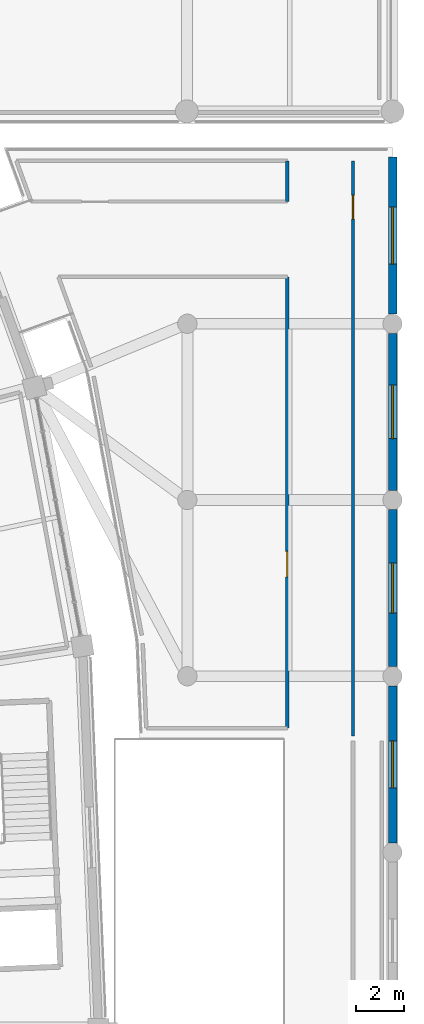
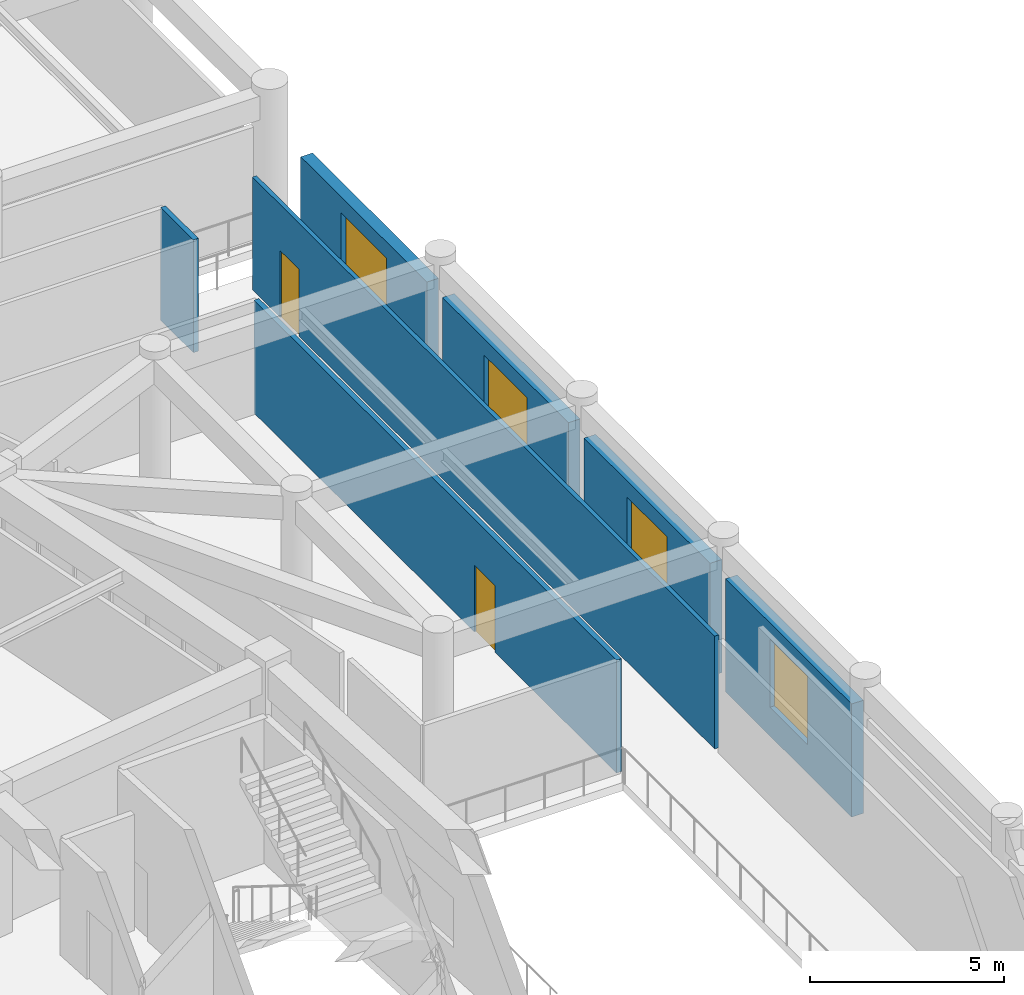
# One storey, part 108 of 152: 7 walls, 4 windows, 2 doors, 6 openings.
"""IFC4 building model written with IfcOpenShell, lengths in metres."""

from ifc_helpers import new_model, si_unit, direction, frame, frame_2d, origin, place, context, subcontext, project, spatial, rectangle, extrude, material, layer, layer_set, type_object, element, fill, save


model = new_model("IFC4")

# Units and contexts
model_context = context("Model", 3, precision=1e-05, world=origin(), true_north=direction((0.0, 1.0)))
body_context = subcontext(model_context, "Body", "Model", "MODEL_VIEW")
ifc_project = project(units=[si_unit("LENGTHUNIT", "METRE"), si_unit("AREAUNIT", "SQUARE_METRE"), si_unit("VOLUMEUNIT", "CUBIC_METRE"), si_unit("PLANEANGLEUNIT", "RADIAN"), si_unit("MASSUNIT", "GRAM", prefix="KILO")], contexts=[model_context])

# Site, building, storey
site_placement = place(None, origin())
site = spatial("IfcSite", under=ifc_project, at=site_placement, CompositionType="ELEMENT")
building_placement = place(site_placement, origin())
building = spatial("IfcBuilding", under=site, at=building_placement, Name="Mphavela Belvedere Stadium", CompositionType="ELEMENT")
storey_placement = place(building_placement, frame((0.0, 0.0, 5.39990234375)))
storey = spatial("IfcBuildingStorey", under=building, at=storey_placement, Name="L01", CompositionType="ELEMENT", Elevation=5.39990234375)

# Wall, opening, window
ifc_material_1 = material(Name="Honed ashlar limestone masonry", Category="masonry")
ifc_layer_1 = layer(ifc_material_1, 0.35009765625)
ifc_layer_set_1 = layer_set([ifc_layer_1], Name="Honed ashlar limestone masonry")
wall_type_1 = type_object("IfcWallType", Name="WAL-EXT-ASHLAR-350", PredefinedType="STANDARD", material=ifc_layer_set_1)
wall_1_placement = place(storey_placement, frame((230.0, 101.201904296875, 0.0), z_axis=(0.0, 0.0, 1.0), x_axis=(0.0, -1.0, 0.0)))
wall_1 = element("IfcWall", 1, at=wall_1_placement, inside=storey, type_object=wall_type_1, Name="East Planted Eaves Peristyle Colonnade outer facade bay L01-07", PredefinedType="STANDARD", context=body_context, shape_type="SweptSolid", body=[
    extrude(rectangle(XDim=6.50390625, YDim=0.35009765625, at=frame_2d((3.251953125, 0.0))), origin(), (0.0, 0.0, 1.0), 3.56005859375),
])
opening_1_placement = place(wall_1_placement, frame((2.281982421875, 0.0, 0.89990234375)))
opening_1 = element("IfcOpeningElement", 2, at=opening_1_placement, cuts=wall_1, Name="Opening W-304", PredefinedType="OPENING", context=body_context, shape_type="SweptSolid", body=[
    extrude(rectangle(XDim=1.93994140625, YDim=2.14990234375, at=frame_2d((0.969970703125, 1.074951171875))), frame((0.0, 0.18505859375, 0.0), z_axis=(0.0, -1.0, 0.0), x_axis=(1.0, 0.0, 0.0)), (0.0, 0.0, 1.0), 0.3701171875),
])
ifc_material_2 = material(Name="Bronze-anodised thermally broken aluminium window", Category="aluminium")
window_type_1 = type_object("IfcWindowType", Name="WIN-EXT-40", PartitioningType="SINGLE_PANEL", PredefinedType="WINDOW", material=ifc_material_2)
window_1_placement = place(opening_1_placement, origin())
window_1 = element("IfcWindow", 3, at=window_1_placement, inside=storey, type_object=window_type_1, Name="East Planted Eaves Peristyle Colonnade classical window W-304", OverallHeight=2.14990234375, OverallWidth=1.93994140625, PartitioningType="SINGLE_PANEL", PredefinedType="WINDOW", context=body_context, shape_type="SweptSolid", body=[
    extrude(rectangle(XDim=1.93994140625, YDim=2.14990234375, at=frame_2d((0.969970703125, 1.074951171875))), frame((0.0, 0.030029296875, 0.0), z_axis=(0.0, -1.0, 0.0), x_axis=(1.0, 0.0, 0.0)), (0.0, 0.0, 1.0), 0.06005859375),
])
fill(opening_1, window_1)

wall_2_placement = place(storey_placement, frame((230.0, 108.501953125, 0.0), z_axis=(0.0, 0.0, 1.0), x_axis=(0.0, -1.0, 0.0)))
wall_2 = element("IfcWall", 4, at=wall_2_placement, inside=storey, type_object=wall_type_1, Name="East Planted Eaves Peristyle Colonnade outer facade bay L01-08", PredefinedType="STANDARD", context=body_context, shape_type="SweptSolid", body=[
    extrude(rectangle(XDim=6.50390625, YDim=0.35009765625, at=frame_2d((3.251953125, 0.0))), origin(), (0.0, 0.0, 1.0), 3.56005859375),
])
opening_2_placement = place(wall_2_placement, frame((2.2119140625, 0.0, 0.89990234375)))
opening_2 = element("IfcOpeningElement", 5, at=opening_2_placement, cuts=wall_2, Name="Opening W-305", PredefinedType="OPENING", context=body_context, shape_type="SweptSolid", body=[
    extrude(rectangle(XDim=2.080078125, YDim=2.14990234375, at=frame_2d((1.0400390625, 1.074951171875))), frame((0.0, 0.18505859375, 0.0), z_axis=(0.0, -1.0, 0.0), x_axis=(1.0, 0.0, 0.0)), (0.0, 0.0, 1.0), 0.3701171875),
])
ifc_material_3 = material(Name="Bronze-anodised thermally broken aluminium window", Category="aluminium")
window_type_2 = type_object("IfcWindowType", Name="WIN-EXT-41", PartitioningType="SINGLE_PANEL", PredefinedType="WINDOW", material=ifc_material_3)
window_2_placement = place(opening_2_placement, origin())
window_2 = element("IfcWindow", 6, at=window_2_placement, inside=storey, type_object=window_type_2, Name="East Planted Eaves Peristyle Colonnade classical window W-305", OverallHeight=2.14990234375, OverallWidth=2.080078125, PartitioningType="SINGLE_PANEL", PredefinedType="WINDOW", context=body_context, shape_type="SweptSolid", body=[
    extrude(rectangle(XDim=2.080078125, YDim=2.14990234375, at=frame_2d((1.0400390625, 1.074951171875))), frame((0.0, 0.030029296875, 0.0), z_axis=(0.0, -1.0, 0.0), x_axis=(1.0, 0.0, 0.0)), (0.0, 0.0, 1.0), 0.06005859375),
])
fill(opening_2, window_2)

wall_3_placement = place(storey_placement, frame((230.0, 115.802001953125, 0.0), z_axis=(0.0, 0.0, 1.0), x_axis=(0.0, -1.0, 0.0)))
wall_3 = element("IfcWall", 7, at=wall_3_placement, inside=storey, type_object=wall_type_1, Name="East Planted Eaves Peristyle Colonnade outer facade bay L01-09", PredefinedType="STANDARD", context=body_context, shape_type="SweptSolid", body=[
    extrude(rectangle(XDim=6.50390625, YDim=0.35009765625, at=frame_2d((3.251953125, 0.0))), origin(), (0.0, 0.0, 1.0), 3.56005859375),
])
opening_3_placement = place(wall_3_placement, frame((2.14208984375, 0.0, 0.89990234375)))
opening_3 = element("IfcOpeningElement", 8, at=opening_3_placement, cuts=wall_3, Name="Opening W-306", PredefinedType="OPENING", context=body_context, shape_type="SweptSolid", body=[
    extrude(rectangle(XDim=2.219970703125, YDim=2.14990234375, at=frame_2d((1.10986328125, 1.074951171875))), frame((0.0, 0.18505859375, 0.0), z_axis=(0.0, -1.0, 0.0), x_axis=(1.0, 0.0, 0.0)), (0.0, 0.0, 1.0), 0.3701171875),
])
ifc_material_4 = material(Name="Bronze-anodised thermally broken aluminium window", Category="aluminium")
window_type_3 = type_object("IfcWindowType", Name="WIN-EXT-42", PartitioningType="SINGLE_PANEL", PredefinedType="WINDOW", material=ifc_material_4)
window_3_placement = place(opening_3_placement, origin())
window_3 = element("IfcWindow", 9, at=window_3_placement, inside=storey, type_object=window_type_3, Name="East Planted Eaves Peristyle Colonnade classical window W-306", OverallHeight=2.14990234375, OverallWidth=2.219970703125, PartitioningType="SINGLE_PANEL", PredefinedType="WINDOW", context=body_context, shape_type="SweptSolid", body=[
    extrude(rectangle(XDim=2.219970703125, YDim=2.14990234375, at=frame_2d((1.10986328125, 1.074951171875))), frame((0.0, 0.030029296875, 0.0), z_axis=(0.0, -1.0, 0.0), x_axis=(1.0, 0.0, 0.0)), (0.0, 0.0, 1.0), 0.06005859375),
])
fill(opening_3, window_3)

wall_4_placement = place(storey_placement, frame((230.0, 123.10205078125, 0.0), z_axis=(0.0, 0.0, 1.0), x_axis=(0.0, -1.0, 0.0)))
wall_4 = element("IfcWall", 10, at=wall_4_placement, inside=storey, type_object=wall_type_1, Name="East Planted Eaves Peristyle Colonnade outer facade bay L01-10", PredefinedType="STANDARD", context=body_context, shape_type="SweptSolid", body=[
    extrude(rectangle(XDim=6.504150390625, YDim=0.35009765625, at=frame_2d((3.251953125, 0.0))), origin(), (0.0, 0.0, 1.0), 3.56005859375),
])
opening_4_placement = place(wall_4_placement, frame((2.072021484375, 0.0, 0.89990234375)))
opening_4 = element("IfcOpeningElement", 11, at=opening_4_placement, cuts=wall_4, Name="Opening W-307", PredefinedType="OPENING", context=body_context, shape_type="SweptSolid", body=[
    extrude(rectangle(XDim=2.360107421875, YDim=2.14990234375, at=frame_2d((1.18017578125, 1.074951171875))), frame((0.0, 0.18505859375, 0.0), z_axis=(0.0, -1.0, 0.0), x_axis=(1.0, 0.0, 0.0)), (0.0, 0.0, 1.0), 0.3701171875),
])
ifc_material_5 = material(Name="Bronze-anodised thermally broken aluminium window", Category="aluminium")
window_type_4 = type_object("IfcWindowType", Name="WIN-EXT-43", PartitioningType="SINGLE_PANEL", PredefinedType="WINDOW", material=ifc_material_5)
window_4_placement = place(opening_4_placement, origin())
window_4 = element("IfcWindow", 12, at=window_4_placement, inside=storey, type_object=window_type_4, Name="East Planted Eaves Peristyle Colonnade classical window W-307", OverallHeight=2.14990234375, OverallWidth=2.360107421875, PartitioningType="SINGLE_PANEL", PredefinedType="WINDOW", context=body_context, shape_type="SweptSolid", body=[
    extrude(rectangle(XDim=2.360107421875, YDim=2.14990234375, at=frame_2d((1.18017578125, 1.074951171875))), frame((0.0, 0.030029296875, 0.0), z_axis=(0.0, -1.0, 0.0), x_axis=(1.0, 0.0, 0.0)), (0.0, 0.0, 1.0), 0.06005859375),
])
fill(opening_4, window_4)

# Wall, opening, door
ifc_material_6 = material(Name="Moisture-resistant sanitary partition assembly")
ifc_layer_2 = layer(ifc_material_6, 0.125)
ifc_layer_set_2 = layer_set([ifc_layer_2], Name="Moisture-resistant sanitary partition assembly")
wall_type_2 = type_object("IfcWallType", Name="WAL-PART-125", PredefinedType="PARTITIONING", material=ifc_layer_set_2)
wall_5_placement = place(storey_placement, frame((228.360107421875, 99.11669921875, 0.0), z_axis=(0.0, 0.0, 1.0), x_axis=(0.0, 1.0, 0.0)))
wall_5 = element("IfcWall", 13, at=wall_5_placement, inside=storey, type_object=wall_type_2, Name="Room L01-201 corridor partition", PredefinedType="PARTITIONING", context=body_context, shape_type="SweptSolid", body=[
    extrude(rectangle(XDim=23.833251953125, YDim=0.125, at=frame_2d((11.91650390625, 0.0))), origin(), (0.0, 0.0, 1.0), 3.550048828125),
])
opening_5_placement = place(wall_5_placement, frame((21.422607421875, 0.0, 0.0)))
opening_5 = element("IfcOpeningElement", 14, at=opening_5_placement, cuts=wall_5, Name="Opening ID-543", PredefinedType="OPENING", context=body_context, shape_type="SweptSolid", body=[
    extrude(rectangle(XDim=0.97998046875, YDim=2.10009765625, at=frame_2d((0.489990234375, 1.050048828125))), frame((0.0, 0.072509765625, 0.0), z_axis=(0.0, -1.0, 0.0), x_axis=(1.0, 0.0, 0.0)), (0.0, 0.0, 1.0), 0.14501953125),
])
ifc_material_7 = material(Name="Hardwood acoustic timber doorset", Category="wood")
door_type_1 = type_object("IfcDoorType", Name="DR-INT-03", OperationType="NOTDEFINED", PredefinedType="DOOR", material=ifc_material_7)
door_1_placement = place(opening_5_placement, origin())
door_1 = element("IfcDoor", 15, at=door_1_placement, inside=storey, type_object=door_type_1, Name="Room L01-201 entrance door ID-543", OperationType="SINGLE_SWING_LEFT", OverallHeight=2.10009765625, OverallWidth=0.97998046875, PredefinedType="DOOR", context=body_context, shape_type="SweptSolid", body=[
    extrude(rectangle(XDim=0.97998046875, YDim=2.10009765625, at=frame_2d((0.489990234375, 1.050048828125))), frame((0.0, 0.02490234375, 0.0), z_axis=(0.0, -1.0, 0.0), x_axis=(1.0, 0.0, 0.0)), (0.0, 0.0, 1.0), 0.050048828125),
])
fill(opening_5, door_1)

ifc_material_8 = material(Name="Acoustic gypsum stud partition assembly")
ifc_layer_3 = layer(ifc_material_8, 0.14990234375)
ifc_layer_set_3 = layer_set([ifc_layer_3], Name="Acoustic gypsum stud partition assembly")
wall_type_3 = type_object("IfcWallType", Name="WAL-PART-150", PredefinedType="PARTITIONING", material=ifc_layer_set_3)
wall_6_placement = place(storey_placement, frame((225.639892578125, 118.139892578125, 0.0), z_axis=(0.0, 0.0, 1.0), x_axis=(0.0, -1.0, 0.0)))
wall_6 = element("IfcWall", 16, at=wall_6_placement, inside=storey, type_object=wall_type_3, Name="Room L01-203 corridor partition", PredefinedType="PARTITIONING", context=body_context, shape_type="SweptSolid", body=[
    extrude(rectangle(XDim=18.68994140625, YDim=0.14990234375, at=frame_2d((9.344970703125, 0.0))), origin(), (0.0, 0.0, 1.0), 3.550048828125),
])
opening_6_placement = place(wall_6_placement, frame((11.363525390625, 0.0, 0.0)))
opening_6 = element("IfcOpeningElement", 17, at=opening_6_placement, cuts=wall_6, Name="Opening ID-545", PredefinedType="OPENING", context=body_context, shape_type="SweptSolid", body=[
    extrude(rectangle(XDim=1.06005859375, YDim=2.10009765625, at=frame_2d((0.530029296875, 1.050048828125))), frame((0.0, 0.0849609375, 0.0), z_axis=(0.0, -1.0, 0.0), x_axis=(1.0, 0.0, 0.0)), (0.0, 0.0, 1.0), 0.169921875),
])
ifc_material_9 = material(Name="Hardwood acoustic timber doorset", Category="wood")
door_type_2 = type_object("IfcDoorType", Name="DR-INT-05", OperationType="NOTDEFINED", PredefinedType="DOOR", material=ifc_material_9)
door_2_placement = place(opening_6_placement, origin())
door_2 = element("IfcDoor", 18, at=door_2_placement, inside=storey, type_object=door_type_2, Name="Room L01-203 entrance door ID-545", OperationType="SINGLE_SWING_LEFT", OverallHeight=2.10009765625, OverallWidth=1.06005859375, PredefinedType="DOOR", context=body_context, shape_type="SweptSolid", body=[
    extrude(rectangle(XDim=1.06005859375, YDim=2.10009765625, at=frame_2d((0.530029296875, 1.050048828125))), frame((0.0, 0.02490234375, 0.0), z_axis=(0.0, -1.0, 0.0), x_axis=(1.0, 0.0, 0.0)), (0.0, 0.0, 1.0), 0.050048828125),
])
fill(opening_6, door_2)

# Wall
wall_7_placement = place(storey_placement, frame((225.639892578125, 122.949951171875, 0.0), z_axis=(0.0, 0.0, 1.0), x_axis=(0.0, -1.0, 0.0)))
element("IfcWall", 19, at=wall_7_placement, inside=storey, type_object=wall_type_3, Name="Room divider partition L01-1250", PredefinedType="PARTITIONING", context=body_context, shape_type="SweptSolid", body=[
    extrude(rectangle(XDim=1.68994140625, YDim=0.14990234375, at=frame_2d((0.844970703125, 0.0))), origin(), (0.0, 0.0, 1.0), 3.550048828125),
])

save(model, "model.ifc")
